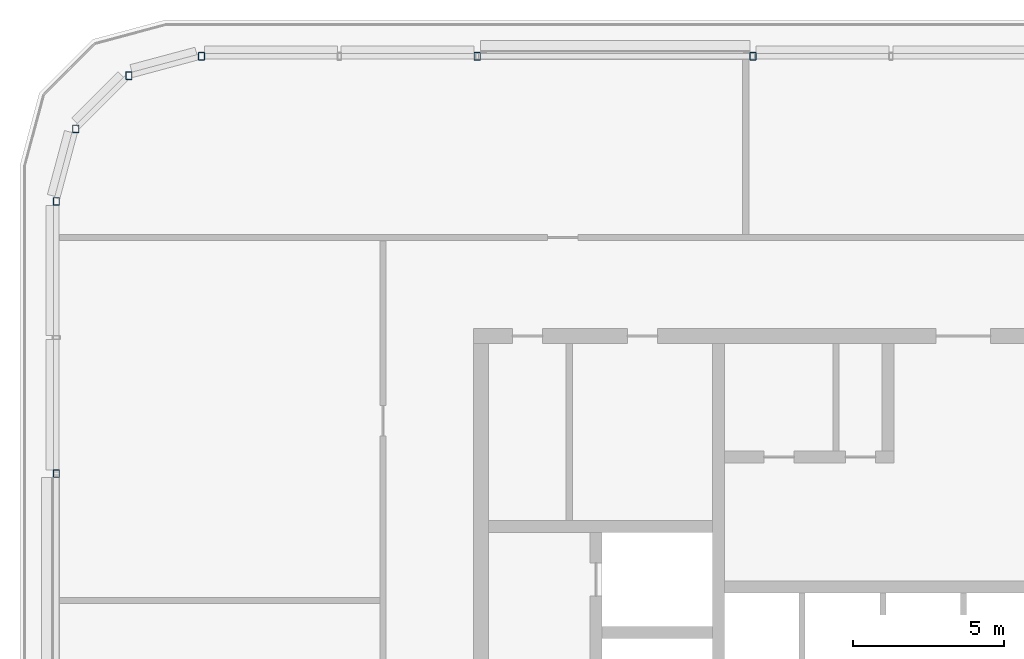
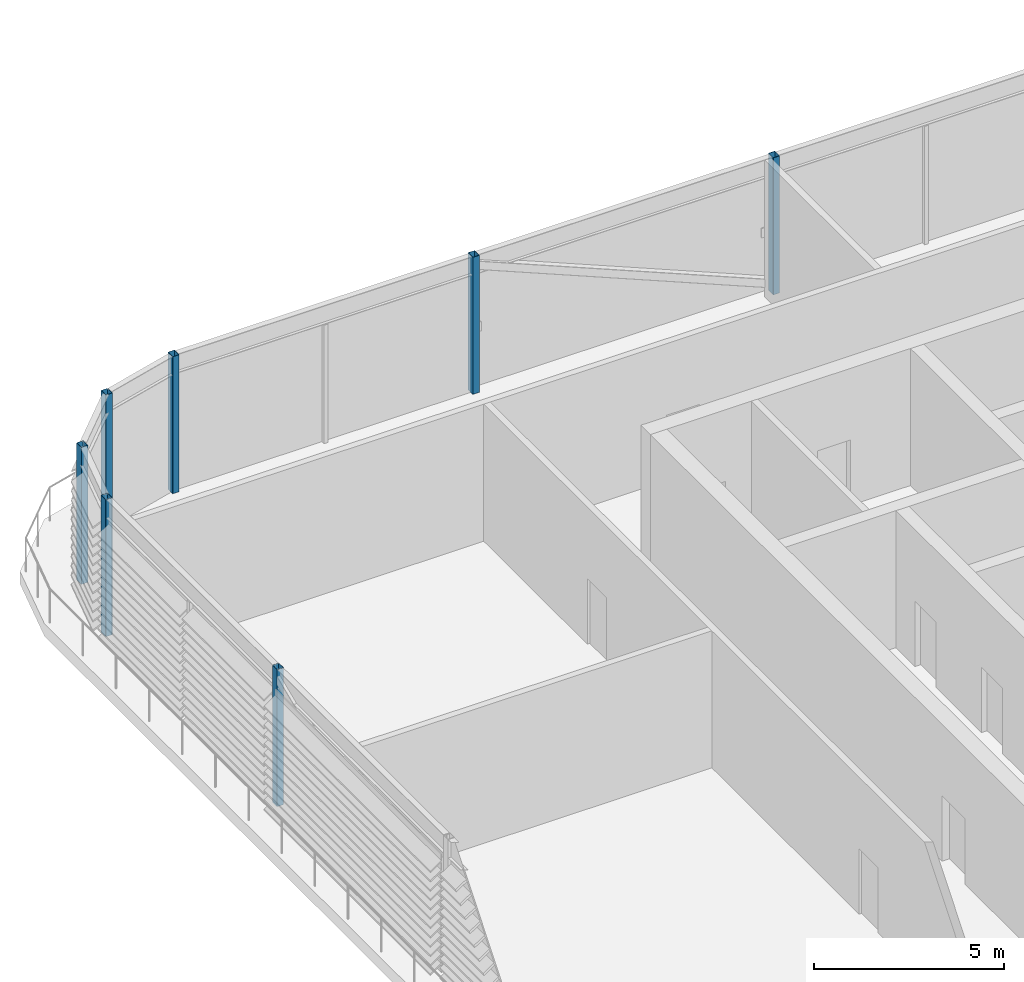
# One storey, part 3 of 29: 7 columns.
"""IFC4 building model written with IfcOpenShell, lengths in metres."""

from ifc_helpers import new_model, si_unit, direction, frame, origin, origin_2d, place, context, subcontext, project, spatial, hollow_rectangle, extrude, material, material_profile, profile_set, type_object, element, save


model = new_model("IFC4")

# Units and contexts
model_context = context("Model", 3, precision=1e-05, world=origin(), true_north=direction((0.0, 1.0)))
body_context = subcontext(model_context, "Body", "Model", "MODEL_VIEW")
ifc_project = project(units=[si_unit("LENGTHUNIT", "METRE"), si_unit("AREAUNIT", "SQUARE_METRE"), si_unit("VOLUMEUNIT", "CUBIC_METRE"), si_unit("PLANEANGLEUNIT", "RADIAN"), si_unit("MASSUNIT", "GRAM", prefix="KILO")], contexts=[model_context])

# Site, building, storey
site_placement = place(None, origin())
site = spatial("IfcSite", under=ifc_project, at=site_placement, CompositionType="ELEMENT")
building_placement = place(site_placement, origin())
building = spatial("IfcBuilding", under=site, at=building_placement, Name="Madar Terraces", CompositionType="ELEMENT")
storey_placement = place(building_placement, frame((0.0, 0.0, 296.300048828125)))
storey = spatial("IfcBuildingStorey", under=building, at=storey_placement, Name="L77", CompositionType="ELEMENT", Elevation=296.300048828125)

# Columns
ifc_material = material(Name="Steel ASTM A500 Grade C", Category="steel")
ifc_material_profile = material_profile(ifc_material, hollow_rectangle(XDim=0.203125, YDim=0.25390625, WallThickness=0.009521484375, InnerFilletRadius=0.00439453125, OuterFilletRadius=0.01318359375, at=origin_2d()), Name="HSS10x8x.375")
ifc_profile_set = profile_set([ifc_material_profile], Name="Steel ASTM A500 Grade C")
column_type = type_object("IfcColumnType", Name="CF1 HSS10x8x.375", PredefinedType="COLUMN", material=ifc_profile_set)
for number, where, z_axis, x_axis, name in (
    (1, (24.239990234375, 46.800048828125, 0.0), (0.0, 0.0, 1.0), (1.0, 0.0, 0.0), "Crown frame column CF1"),
    (2, (15.1201171875, 46.800048828125, 0.0), (0.0, 0.0, 1.0), (1.0, 0.0, 0.0), "Crown frame column CF1"),
    (3, (6.0, 46.800048828125, 0.0), (0.0, 0.0, 1.0), (1.0, 0.0, 0.0), "Crown frame column CF1"),
    (4, (3.60009765625, 46.156982421875, 0.0), (0.0, 0.0, 1.0), (1.0, 0.0, 0.0), "Crown frame column CF1"),
    (5, (1.843017578125, 44.39990234375, 0.0), (0.0, 0.0, 1.0), (1.0, 0.0, 0.0), "Crown frame column CF1"),
    (6, (1.199951171875, 42.0, 0.0), (0.0, 0.0, 1.0), (1.0, 0.0, 0.0), "Crown frame column CF1"),
    (7, (1.199951171875, 33.0, 0.0), (0.0, 0.0, 1.0), (1.0, 0.0, 0.0), "Crown frame column CF1"),
):
    element("IfcColumn", number, at=place(storey_placement, frame(where, z_axis=z_axis, x_axis=x_axis)), inside=storey, type_object=column_type, Name=name, PredefinedType="COLUMN", context=body_context, shape_type="SweptSolid", body=[
        extrude(hollow_rectangle(XDim=0.203125, YDim=0.25390625, WallThickness=0.009521484375, InnerFilletRadius=0.00439453125, OuterFilletRadius=0.01318359375, at=origin_2d()), origin(), (0.0, 0.0, 1.0), 4.39990234375),
    ])

save(model, "model.ifc")
